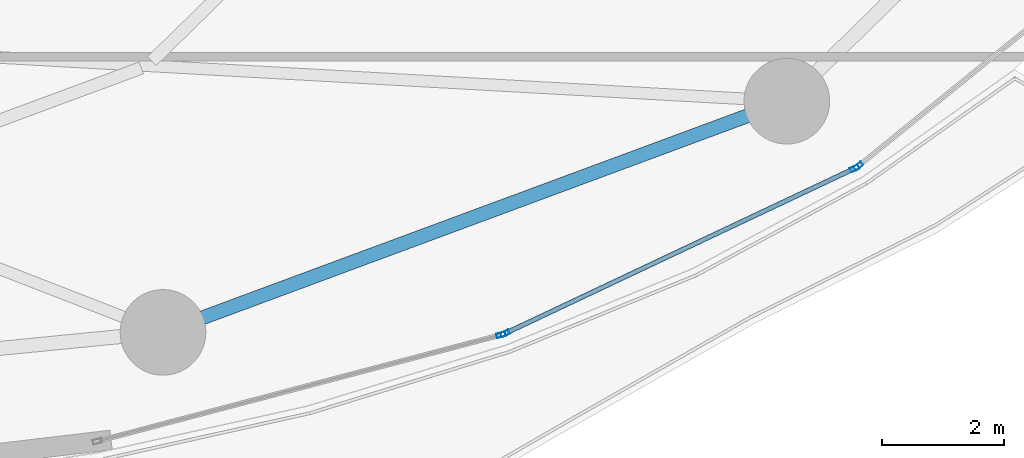
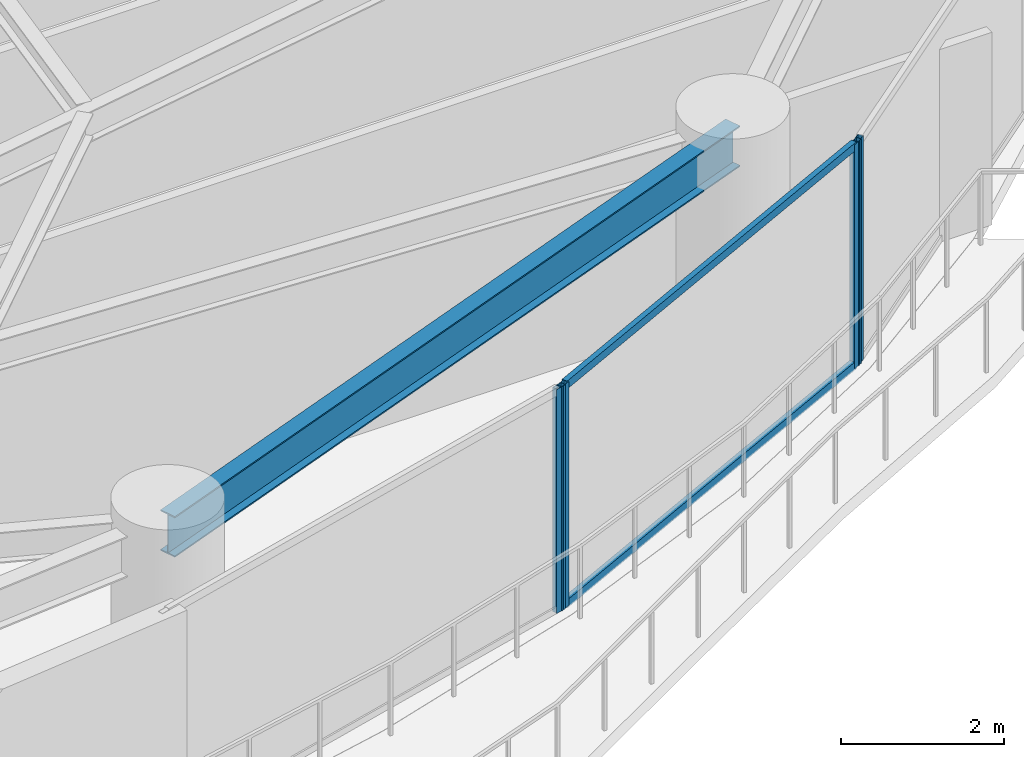
# One storey, part 14 of 30: 6 members, 1 beam, 3 elements without a shape of their own.
"""IFC4 building model written with IfcOpenShell, lengths in metres."""

from ifc_helpers import new_model, si_unit, direction, frame, origin, origin_2d, place, context, subcontext, project, spatial, hollow_rectangle, i_section, extrude, material, layer, layer_set, material_profile, profile_set, type_object, element, aggregate, save


model = new_model("IFC4")

# Units and contexts
model_context = context("Model", 3, precision=1e-05, world=origin(), true_north=direction((0.0, 1.0)))
body_context = subcontext(model_context, "Body", "Model", "MODEL_VIEW")
ifc_project = project(units=[si_unit("LENGTHUNIT", "METRE"), si_unit("AREAUNIT", "SQUARE_METRE"), si_unit("VOLUMEUNIT", "CUBIC_METRE"), si_unit("PLANEANGLEUNIT", "RADIAN"), si_unit("MASSUNIT", "GRAM", prefix="KILO")], contexts=[model_context])

# Site, building, storey
site_placement = place(None, origin())
site = spatial("IfcSite", under=ifc_project, at=site_placement, CompositionType="ELEMENT")
building_placement = place(site_placement, origin())
building = spatial("IfcBuilding", under=site, at=building_placement, Name="Kazevale Care Tower and Concert Hall", CompositionType="ELEMENT")
storey_placement = place(building_placement, frame((0.0, 0.0, 74.39990234375)))
storey = spatial("IfcBuildingStorey", under=building, at=storey_placement, Name="L19", CompositionType="ELEMENT", Elevation=74.39990234375)

# Curtain wall, member
ifc_material_1 = material(Name="Aluminium 6063-T6 and Low-E Glass", Category="aluminium")
ifc_layer = layer(ifc_material_1, 0.179931640625)
ifc_layer_set = layer_set([ifc_layer], Name="Aluminium 6063-T6 and Low-E Glass")
curtain_wall_type = type_object("IfcCurtainWallType", Name="Sheltered Concave Balcony Curtain Wall CW-5", PredefinedType="NOTDEFINED", material=ifc_layer_set)
curtain_wall_1_placement = place(storey_placement, origin())
curtain_wall_1 = element("IfcCurtainWall", 1, at=curtain_wall_1_placement, inside=storey, type_object=curtain_wall_type, Name="cw:L19:f02", PredefinedType="NOTDEFINED")
ifc_material_2 = material(Name="Aluminium 6063-T6", Category="aluminium")
ifc_material_profile_1 = material_profile(ifc_material_2, hollow_rectangle(XDim=0.074951171875, YDim=0.14990234375, WallThickness=0.00390625, at=origin_2d()), Name="ALU75x150x4")
ifc_profile_set_1 = profile_set([ifc_material_profile_1], Name="Aluminium 6063-T6")
member_type_1 = type_object("IfcMemberType", Name="CW-5 Mullion ALU75x150x4", PredefinedType="MULLION", material=ifc_profile_set_1)
member_1_placement = place(storey_placement, frame((68.41015625, 21.250732421875, 0.0), z_axis=(0.0, 0.0, 1.0), x_axis=(0.629994732952, -0.77659940539, 0.0)))
member_1 = element("IfcMember", 2, at=member_1_placement, type_object=member_type_1, Name="CW-5 mullion 2", PredefinedType="MULLION", context=body_context, shape_type="SweptSolid", body=[
    extrude(hollow_rectangle(XDim=0.074951171875, YDim=0.14990234375, WallThickness=0.00390625, at=origin_2d()), origin(), (0.0, 0.0, 1.0), 3.360107421875),
])
aggregate(curtain_wall_1, [member_1])

# Curtain wall, members
curtain_wall_2_placement = place(storey_placement, origin())
curtain_wall_2 = element("IfcCurtainWall", 3, at=curtain_wall_2_placement, inside=storey, type_object=curtain_wall_type, Name="cw:L19:f03", PredefinedType="NOTDEFINED")
member_2_placement = place(storey_placement, frame((68.34716796875, 21.2109375, 0.0), z_axis=(0.0, 0.0, 1.0), x_axis=(0.426942320459, -0.904278859092, 0.0)))
member_2 = element("IfcMember", 4, at=member_2_placement, type_object=member_type_1, Name="CW-5 mullion 1", PredefinedType="MULLION", context=body_context, shape_type="SweptSolid", body=[
    extrude(hollow_rectangle(XDim=0.074951171875, YDim=0.14990234375, WallThickness=0.00390625, at=origin_2d()), origin(), (0.0, 0.0, 1.0), 3.360107421875),
])
member_3_placement = place(storey_placement, frame((62.636962890625, 18.514892578125, 0.0), z_axis=(0.0, 0.0, 1.0), x_axis=(0.426942320459, -0.904278859092, 0.0)))
member_3 = element("IfcMember", 5, at=member_3_placement, type_object=member_type_1, Name="CW-5 mullion 2", PredefinedType="MULLION", context=body_context, shape_type="SweptSolid", body=[
    extrude(hollow_rectangle(XDim=0.074951171875, YDim=0.14990234375, WallThickness=0.00390625, at=origin_2d()), origin(), (0.0, 0.0, 1.0), 3.360107421875),
])

# Curtain wall, member
curtain_wall_3_placement = place(storey_placement, origin())
curtain_wall_3 = element("IfcCurtainWall", 6, at=curtain_wall_3_placement, inside=storey, type_object=curtain_wall_type, Name="cw:L19:f04", PredefinedType="NOTDEFINED")
member_4_placement = place(storey_placement, frame((62.566650390625, 18.489501953125, 0.0), z_axis=(0.0, 0.0, 1.0), x_axis=(0.254828630267, -0.966986230097, 0.0)))
member_4 = element("IfcMember", 7, at=member_4_placement, type_object=member_type_1, Name="CW-5 mullion 1", PredefinedType="MULLION", context=body_context, shape_type="SweptSolid", body=[
    extrude(hollow_rectangle(XDim=0.074951171875, YDim=0.14990234375, WallThickness=0.00390625, at=origin_2d()), origin(), (0.0, 0.0, 1.0), 3.360107421875),
])
aggregate(curtain_wall_3, [member_4])

# Member
ifc_material_profile_2 = material_profile(ifc_material_2, hollow_rectangle(XDim=0.074951171875, YDim=0.1201171875, WallThickness=0.00390625, at=origin_2d()), Name="ALU75x120x4")
ifc_profile_set_2 = profile_set([ifc_material_profile_2], Name="Aluminium 6063-T6")
member_type_2 = type_object("IfcMemberType", Name="CW-5 Transom ALU75x120x4", PredefinedType="USERDEFINED", material=ifc_profile_set_2)
member_5_placement = place(storey_placement, frame((68.313232421875, 21.195068359375, 0.03759765625), z_axis=(-0.904271726847, -0.426957426479, 0.0), x_axis=(0.426957426479, -0.904271726847, 0.0)))
member_5 = element("IfcMember", 8, at=member_5_placement, type_object=member_type_2, Name="CW-5 transom 1.1", ObjectType="TRANSOM", PredefinedType="USERDEFINED", context=body_context, shape_type="SweptSolid", body=[
    extrude(hollow_rectangle(XDim=0.074951171875, YDim=0.1201171875, WallThickness=0.00390625, at=origin_2d()), origin(), (0.0, 0.0, 1.0), 6.23974609375),
])

member_6_placement = place(storey_placement, frame((68.313232421875, 21.195068359375, 3.322509765625), z_axis=(-0.904271726847, -0.426957426479, 0.0), x_axis=(0.426957426479, -0.904271726847, 0.0)))
member_6 = element("IfcMember", 9, at=member_6_placement, type_object=member_type_2, Name="CW-5 transom 1.2", ObjectType="TRANSOM", PredefinedType="USERDEFINED", context=body_context, shape_type="SweptSolid", body=[
    extrude(hollow_rectangle(XDim=0.074951171875, YDim=0.1201171875, WallThickness=0.00390625, at=origin_2d()), origin(), (0.0, 0.0, 1.0), 6.23974609375),
])

aggregate(curtain_wall_2, [member_2, member_3, member_5, member_6])

# Beam
ifc_material_3 = material(Name="Steel ASTM A572 Gr 50", Category="steel")
ifc_material_profile_3 = material_profile(ifc_material_3, i_section(OverallWidth=0.22900390625, OverallDepth=0.612060546875, WebThickness=0.011962890625, FlangeThickness=0.01953125, at=origin_2d()), Name="W610x125")
ifc_profile_set_3 = profile_set([ifc_material_profile_3], Name="Steel ASTM A572 Gr 50")
beam_type = type_object("IfcBeamType", Name="Ring Spandrel Beam W610x125", PredefinedType="SPANDREL", material=ifc_profile_set_3)
beam_placement = place(storey_placement, frame((57.0400390625, 18.530029296875, 3.05419921875), z_axis=(0.937680788596, 0.347497825458, 0.0), x_axis=(-0.347497825458, 0.937680788596, 0.0)))
element("IfcBeam", 10, at=beam_placement, inside=storey, type_object=beam_type, Name="beam:L19:ring:14", PredefinedType="SPANDREL", context=body_context, shape_type="SweptSolid", body=[
    extrude(i_section(OverallWidth=0.22900390625, OverallDepth=0.612060546875, WebThickness=0.011962890625, FlangeThickness=0.01953125, at=origin_2d()), origin(), (0.0, 0.0, 1.0), 10.8779296875),
])

save(model, "model.ifc")
